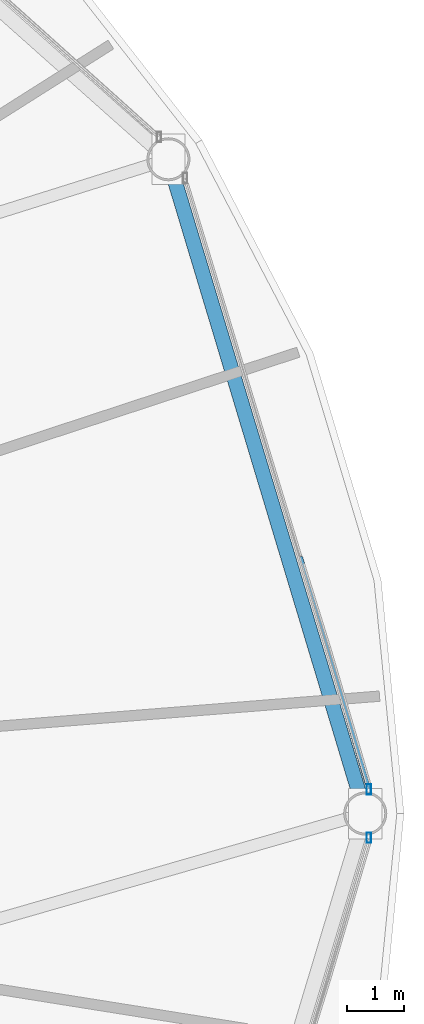
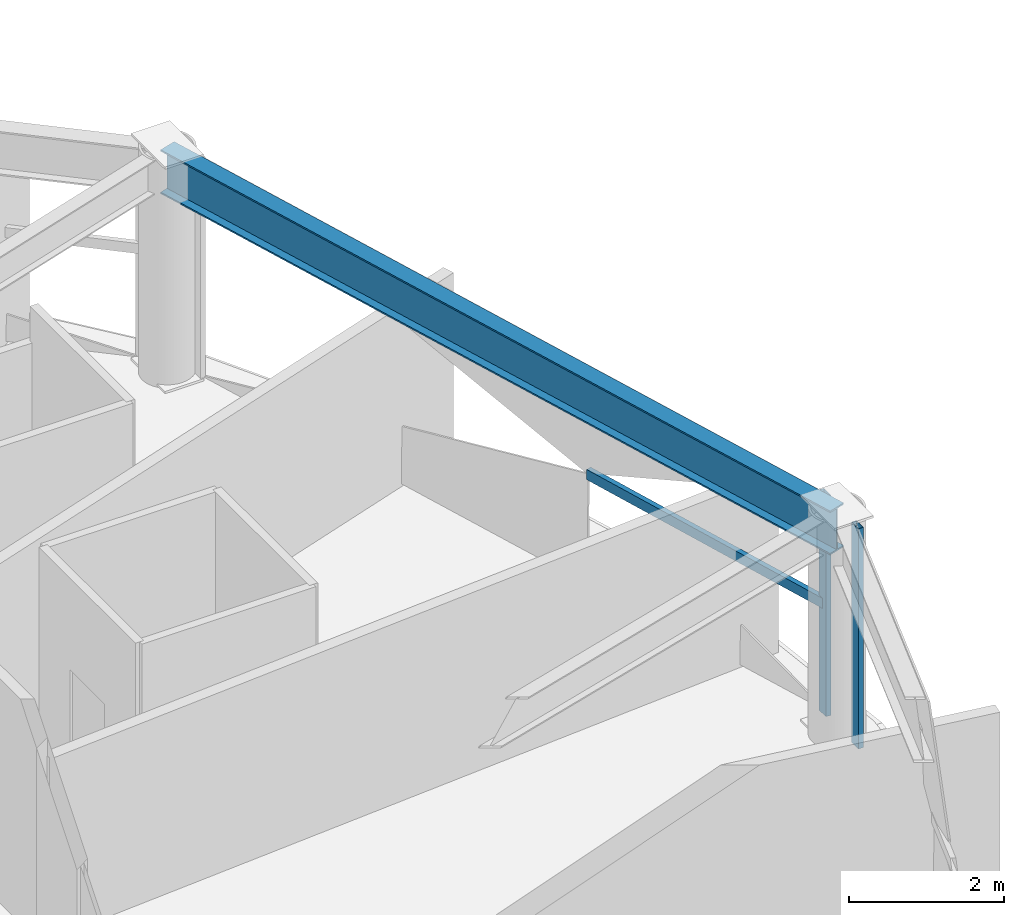
# One storey, part 13 of 32: 3 members, 1 beam, 2 elements without a shape of their own.
"""IFC4 building model written with IfcOpenShell, lengths in metres."""

from ifc_helpers import new_model, si_unit, direction, frame, origin, origin_2d, place, context, subcontext, project, spatial, hollow_rectangle, i_section, extrude, material, layer, layer_set, material_profile, profile_set, type_object, element, aggregate, save


model = new_model("IFC4")

# Units and contexts
model_context = context("Model", 3, precision=1e-05, world=origin(), true_north=direction((0.0, 1.0)))
body_context = subcontext(model_context, "Body", "Model", "MODEL_VIEW")
ifc_project = project(units=[si_unit("LENGTHUNIT", "METRE"), si_unit("AREAUNIT", "SQUARE_METRE"), si_unit("VOLUMEUNIT", "CUBIC_METRE"), si_unit("PLANEANGLEUNIT", "RADIAN"), si_unit("MASSUNIT", "GRAM", prefix="KILO")], contexts=[model_context])

# Site, building, storey
site_placement = place(None, origin())
site = spatial("IfcSite", under=ifc_project, at=site_placement, CompositionType="ELEMENT")
building_placement = place(site_placement, origin())
building = spatial("IfcBuilding", under=site, at=building_placement, Name="Vantalir Tower", CompositionType="ELEMENT")
storey_placement = place(building_placement, frame((0.0, 0.0, 100.949951171875)))
storey = spatial("IfcBuildingStorey", under=building, at=storey_placement, Name="L24", CompositionType="ELEMENT", Elevation=100.949951171875)

# Beam
ifc_material_1 = material(Name="Steel S460", Category="steel")
ifc_material_profile_1 = material_profile(ifc_material_1, i_section(OverallWidth=0.256103515625, OverallDepth=0.693115234375, WebThickness=0.014404296875, FlangeThickness=0.023681640625, at=origin_2d()), Name="Steel S460")
ifc_profile_set_1 = profile_set([ifc_material_profile_1], Name="Steel S460")
beam_type = type_object("IfcBeamType", Name="BM-RG-686x254", PredefinedType="USERDEFINED", material=ifc_profile_set_1)
beam_placement = place(storey_placement, frame((57.087890625, 25.0, 3.22314453125), z_axis=(-0.288100770592, 0.95760009711, 0.0), x_axis=(-0.95760009711, -0.288100770592, 0.0)))
element("IfcBeam", 1, at=beam_placement, inside=storey, type_object=beam_type, Name="L24 Circumferential Ring Girder 01", ObjectType="GIRDER", PredefinedType="USERDEFINED", context=body_context, shape_type="SweptSolid", body=[
    extrude(i_section(OverallWidth=0.256103515625, OverallDepth=0.693115234375, WebThickness=0.014404296875, FlangeThickness=0.023681640625, at=origin_2d()), origin(), (0.0, 0.0, 1.0), 11.8984375),
])

# Curtain wall, member
ifc_material_2 = material(Name="Champagne-silver PVDF aluminium and double-silver Low-E glass", Category="aluminium")
ifc_layer = layer(ifc_material_2, 0.199951171875)
ifc_layer_set = layer_set([ifc_layer], Name="Champagne-silver PVDF aluminium and double-silver Low-E glass")
curtain_wall_type = type_object("IfcCurtainWallType", Name="CW-DIAMOND-Z2", PredefinedType="USERDEFINED", material=ifc_layer_set)
curtain_wall_1_placement = place(storey_placement, origin())
curtain_wall_1 = element("IfcCurtainWall", 2, at=curtain_wall_1_placement, inside=storey, type_object=curtain_wall_type, Name="L24 Quilted Pyramid-Diamond Curtain Wall S01", ObjectType="UNITISED CURTAIN WALL", PredefinedType="USERDEFINED")
ifc_material_3 = material(Name="Champagne-silver PVDF aluminium 6063-T6", Category="aluminium")
ifc_material_profile_2 = material_profile(ifc_material_3, hollow_rectangle(XDim=0.074951171875, YDim=0.179931640625, WallThickness=0.00390625, at=origin_2d()), Name="Champagne-silver PVDF aluminium 6063-T6")
ifc_profile_set_2 = profile_set([ifc_material_profile_2], Name="Champagne-silver PVDF aluminium 6063-T6")
member_type_1 = type_object("IfcMemberType", Name="CWM-180x75", PredefinedType="MULLION", material=ifc_profile_set_2)
member_1_placement = place(storey_placement, frame((57.15087890625, 25.4208984375, 0.045166015625), z_axis=(0.0, 0.0, 1.0), x_axis=(1.0, 0.0, 0.0)))
member_1 = element("IfcMember", 3, at=member_1_placement, type_object=member_type_1, Name="CW-L24-S01 Mullion 1", PredefinedType="MULLION", context=body_context, shape_type="SweptSolid", body=[
    extrude(hollow_rectangle(XDim=0.074951171875, YDim=0.179931640625, WallThickness=0.00390625, at=origin_2d()), origin(), (0.0, 0.0, 1.0), 3.47998046875),
])

curtain_wall_2_placement = place(storey_placement, origin())
curtain_wall_2 = element("IfcCurtainWall", 4, at=curtain_wall_2_placement, inside=storey, type_object=curtain_wall_type, Name="L24 Quilted Pyramid-Diamond Curtain Wall S12", ObjectType="UNITISED CURTAIN WALL", PredefinedType="USERDEFINED")
member_2_placement = place(storey_placement, frame((57.15087890625, 24.5791015625, 0.045166015625), z_axis=(0.0, 0.0, 1.0), x_axis=(1.0, 0.0, 0.0)))
member_2 = element("IfcMember", 5, at=member_2_placement, type_object=member_type_1, Name="CW-L24-S12 Mullion 2", PredefinedType="MULLION", context=body_context, shape_type="SweptSolid", body=[
    extrude(hollow_rectangle(XDim=0.074951171875, YDim=0.179931640625, WallThickness=0.00390625, at=origin_2d()), origin(), (0.0, 0.0, 1.0), 3.47998046875),
])
aggregate(curtain_wall_2, [member_2])

# Member
ifc_material_profile_3 = material_profile(ifc_material_3, hollow_rectangle(XDim=0.074951171875, YDim=0.159912109375, WallThickness=0.00390625, at=origin_2d()), Name="Champagne-silver PVDF aluminium 6063-T6")
ifc_profile_set_3 = profile_set([ifc_material_profile_3], Name="Champagne-silver PVDF aluminium 6063-T6")
member_type_2 = type_object("IfcMemberType", Name="CWT-160x75", PredefinedType="USERDEFINED", material=ifc_profile_set_3)
member_3_placement = place(storey_placement, frame((57.15087890625, 25.4208984375, 1.78515625), z_axis=(-0.2823197322, 0.959320368183, 0.0), x_axis=(-0.959320368183, -0.2823197322, 0.0)))
member_3 = element("IfcMember", 6, at=member_3_placement, type_object=member_type_2, Name="CW-L24-S01 Pyramid Fold Ridge Transom", ObjectType="TRANSOM", PredefinedType="USERDEFINED", context=body_context, shape_type="SweptSolid", body=[
    extrude(hollow_rectangle(XDim=0.074951171875, YDim=0.159912109375, WallThickness=0.00390625, at=origin_2d()), origin(), (0.0, 0.0, 1.0), 4.2216796875),
])

aggregate(curtain_wall_1, [member_1, member_3])

save(model, "model.ifc")
